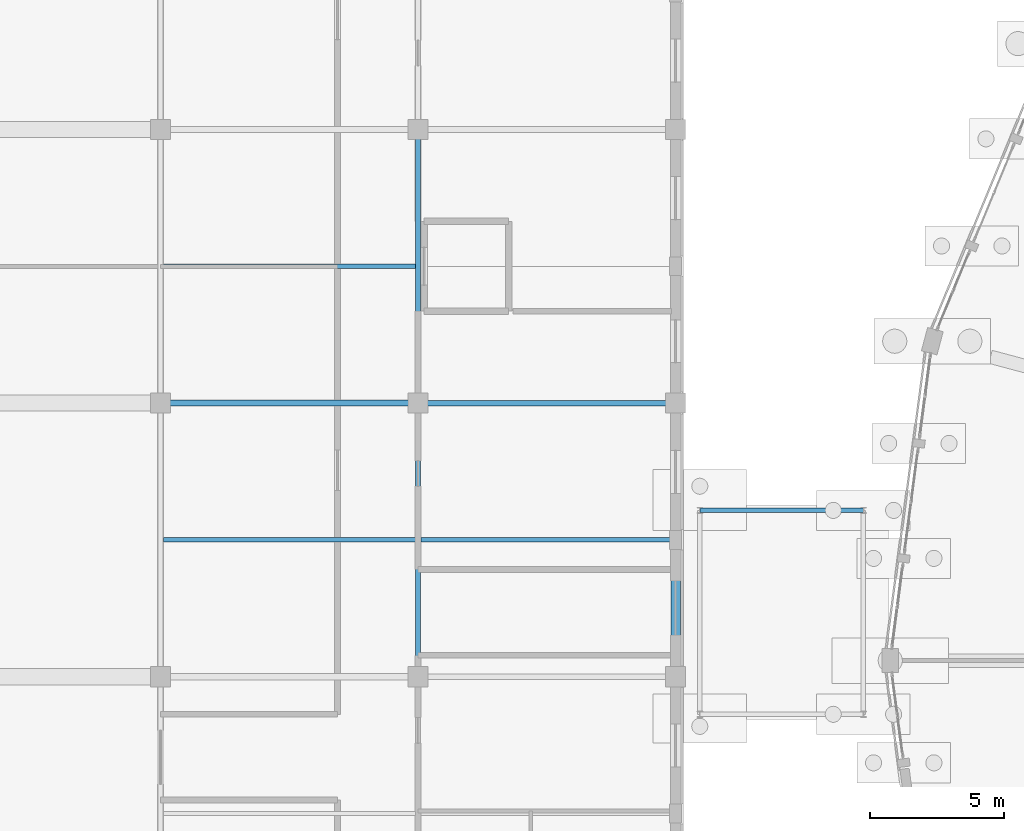
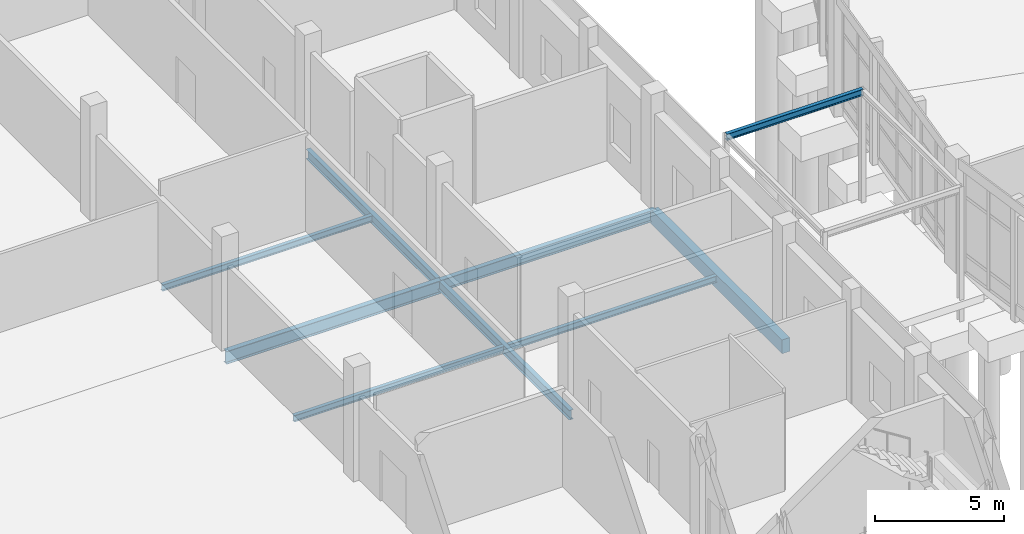
# One storey, part 47 of 137: 9 beams.
"""IFC4 building model written with IfcOpenShell, lengths in metres."""

from ifc_helpers import new_model, si_unit, direction, frame, origin, origin_2d, place, context, subcontext, project, spatial, rectangle, i_section, extrude, material, material_profile, profile_set, type_object, element, save


model = new_model("IFC4")

# Units and contexts
model_context = context("Model", 3, precision=1e-05, world=origin(), true_north=direction((0.0, 1.0)))
body_context = subcontext(model_context, "Body", "Model", "MODEL_VIEW")
ifc_project = project(units=[si_unit("LENGTHUNIT", "METRE"), si_unit("AREAUNIT", "SQUARE_METRE"), si_unit("VOLUMEUNIT", "CUBIC_METRE"), si_unit("PLANEANGLEUNIT", "RADIAN"), si_unit("MASSUNIT", "GRAM", prefix="KILO")], contexts=[model_context])

# Site, building, storey
site_placement = place(None, origin())
site = spatial("IfcSite", under=ifc_project, at=site_placement, CompositionType="ELEMENT")
building_placement = place(site_placement, origin())
building = spatial("IfcBuilding", under=site, at=building_placement, Name="Vondelvale Polytechnic", CompositionType="ELEMENT")
storey_placement = place(building_placement, origin())
storey = spatial("IfcBuildingStorey", under=building, at=storey_placement, Name="L00", CompositionType="ELEMENT", Elevation=0.0)

# Beams
ifc_material_1 = material(Name="Steel 300PLUS (fy = 300 MPa)", Category="steel")
ifc_material_profile_1 = material_profile(ifc_material_1, i_section(OverallWidth=0.166015625, OverallDepth=0.306884765625, WebThickness=0.006591796875, FlangeThickness=0.01171875, FilletRadius=0.011474609375, at=origin_2d()), Name="310UB46.2")
ifc_profile_set_1 = profile_set([ifc_material_profile_1], Name="Steel 300PLUS (fy = 300 MPa)")
beam_type_1 = type_object("IfcBeamType", Name="BM-UB310H", PredefinedType="BEAM", material=ifc_profile_set_1)
beam_1_placement = place(storey_placement, frame((48.89990234375, 77.60009765625, 5.196533203125), z_axis=(1.0, 0.0, 0.0), x_axis=(0.0, 1.0, 0.0)))
element("IfcBeam", 1, at=beam_1_placement, inside=storey, type_object=beam_type_1, Name="L00 LC B-16", PredefinedType="BEAM", context=body_context, shape_type="SweptSolid", body=[
    extrude(i_section(OverallWidth=0.166015625, OverallDepth=0.306884765625, WebThickness=0.006591796875, FlangeThickness=0.01171875, FilletRadius=0.011474609375, at=origin_2d()), origin(), (0.0, 0.0, 1.0), 6.10009765625),
])
ifc_material_profile_2 = material_profile(ifc_material_1, i_section(OverallWidth=0.18994140625, OverallDepth=0.45703125, WebThickness=0.009033203125, FlangeThickness=0.014404296875, FilletRadius=0.011474609375, at=origin_2d()), Name="460UB74.6")
ifc_profile_set_2 = profile_set([ifc_material_profile_2], Name="Steel 300PLUS (fy = 300 MPa)")
beam_type_2 = type_object("IfcBeamType", Name="BM-UB460", PredefinedType="BEAM", material=ifc_profile_set_2)
beam_2_placement = place(storey_placement, frame((38.39990234375, 71.39990234375, -0.528564453125), z_axis=(0.0, 1.0, 0.0), x_axis=(-1.0, 0.0, 0.0)))
element("IfcBeam", 2, at=beam_2_placement, inside=storey, type_object=beam_type_2, Name="L00 B B-13", PredefinedType="BEAM", context=body_context, shape_type="SweptSolid", body=[
    extrude(i_section(OverallWidth=0.18994140625, OverallDepth=0.45703125, WebThickness=0.009033203125, FlangeThickness=0.014404296875, FilletRadius=0.011474609375, at=origin_2d()), origin(), (0.0, 0.0, 1.0), 10.2001953125),
])
beam_3_placement = place(storey_placement, frame((38.39990234375, 81.60009765625, -0.528564453125), z_axis=(0.0, 1.0, 0.0), x_axis=(-1.0, 0.0, 0.0)))
element("IfcBeam", 3, at=beam_3_placement, inside=storey, type_object=beam_type_2, Name="L00 B B-13", PredefinedType="BEAM", context=body_context, shape_type="SweptSolid", body=[
    extrude(i_section(OverallWidth=0.18994140625, OverallDepth=0.45703125, WebThickness=0.009033203125, FlangeThickness=0.014404296875, FilletRadius=0.011474609375, at=origin_2d()), origin(), (0.0, 0.0, 1.0), 10.199951171875),
])
ifc_material_profile_3 = material_profile(ifc_material_1, i_section(OverallWidth=0.208984375, OverallDepth=0.532958984375, WebThickness=0.01025390625, FlangeThickness=0.015625, FilletRadius=0.013916015625, at=origin_2d()), Name="530UB92.4")
ifc_profile_set_3 = profile_set([ifc_material_profile_3], Name="Steel 300PLUS (fy = 300 MPa)")
beam_type_3 = type_object("IfcBeamType", Name="BM-UB530", PredefinedType="BEAM", material=ifc_profile_set_3)
beam_4_placement = place(storey_placement, frame((38.39990234375, 81.60009765625, -0.56640625), z_axis=(1.0, 0.0, 0.0), x_axis=(0.0, 1.0, 0.0)))
element("IfcBeam", 4, at=beam_4_placement, inside=storey, type_object=beam_type_3, Name="L00 B B-11", PredefinedType="BEAM", context=body_context, shape_type="SweptSolid", body=[
    extrude(i_section(OverallWidth=0.208984375, OverallDepth=0.532958984375, WebThickness=0.01025390625, FlangeThickness=0.015625, FilletRadius=0.013916015625, at=origin_2d()), origin(), (0.0, 0.0, 1.0), 9.60009765625),
])
ifc_material_profile_4 = material_profile(ifc_material_1, i_section(OverallWidth=0.22900390625, OverallDepth=0.612060546875, WebThickness=0.011962890625, FlangeThickness=0.01953125, FilletRadius=0.013916015625, at=origin_2d()), Name="610UB125")
ifc_profile_set_4 = profile_set([ifc_material_profile_4], Name="Steel 300PLUS (fy = 300 MPa)")
beam_type_4 = type_object("IfcBeamType", Name="BM-UB610H", PredefinedType="BEAM", material=ifc_profile_set_4)
beam_5_placement = place(storey_placement, frame((28.800048828125, 81.60009765625, -0.60595703125), z_axis=(1.0, 0.0, 0.0), x_axis=(0.0, 1.0, 0.0)))
element("IfcBeam", 5, at=beam_5_placement, inside=storey, type_object=beam_type_4, Name="L00 B B-09", PredefinedType="BEAM", context=body_context, shape_type="SweptSolid", body=[
    extrude(i_section(OverallWidth=0.22900390625, OverallDepth=0.612060546875, WebThickness=0.011962890625, FlangeThickness=0.01953125, FilletRadius=0.013916015625, at=origin_2d()), origin(), (0.0, 0.0, 1.0), 9.599853515625),
])
ifc_material_profile_5 = material_profile(ifc_material_1, i_section(OverallWidth=0.1650390625, OverallDepth=0.303955078125, WebThickness=0.006103515625, FlangeThickness=0.01025390625, FilletRadius=0.011474609375, at=origin_2d()), Name="310UB40.4")
ifc_profile_set_5 = profile_set([ifc_material_profile_5], Name="Steel 300PLUS (fy = 300 MPa)")
beam_type_5 = type_object("IfcBeamType", Name="JST-UB310", PredefinedType="JOIST", material=ifc_profile_set_5)
beam_6_placement = place(storey_placement, frame((28.89990234375, 76.5, -0.451904296875), z_axis=(1.0, 0.0, 0.0), x_axis=(0.0, 1.0, 0.0)))
element("IfcBeam", 6, at=beam_6_placement, inside=storey, type_object=beam_type_5, Name="L00 J J-05", PredefinedType="JOIST", context=body_context, shape_type="SweptSolid", body=[
    extrude(i_section(OverallWidth=0.1650390625, OverallDepth=0.303955078125, WebThickness=0.006103515625, FlangeThickness=0.01025390625, FilletRadius=0.011474609375, at=origin_2d()), origin(), (0.0, 0.0, 1.0), 9.400146484375),
])
beam_7_placement = place(storey_placement, frame((38.5, 76.5, -0.451904296875), z_axis=(1.0, 0.0, 0.0), x_axis=(0.0, 1.0, 0.0)))
element("IfcBeam", 7, at=beam_7_placement, inside=storey, type_object=beam_type_5, Name="L00 J J-05", PredefinedType="JOIST", context=body_context, shape_type="SweptSolid", body=[
    extrude(i_section(OverallWidth=0.1650390625, OverallDepth=0.303955078125, WebThickness=0.006103515625, FlangeThickness=0.01025390625, FilletRadius=0.011474609375, at=origin_2d()), origin(), (0.0, 0.0, 1.0), 9.320068359375),
])
beam_8_placement = place(storey_placement, frame((28.89990234375, 86.699951171875, -0.451904296875), z_axis=(1.0, 0.0, 0.0), x_axis=(0.0, 1.0, 0.0)))
element("IfcBeam", 8, at=beam_8_placement, inside=storey, type_object=beam_type_5, Name="L00 J J-05", PredefinedType="JOIST", context=body_context, shape_type="SweptSolid", body=[
    extrude(i_section(OverallWidth=0.1650390625, OverallDepth=0.303955078125, WebThickness=0.006103515625, FlangeThickness=0.01025390625, FilletRadius=0.011474609375, at=origin_2d()), origin(), (0.0, 0.0, 1.0), 9.400146484375),
])
ifc_material_2 = material(Name="Precast concrete N40 (f'c = 40 MPa)", Category="concrete")
ifc_material_profile_6 = material_profile(ifc_material_2, rectangle(XDim=0.35009765625, YDim=0.64990234375, at=origin_2d()), Name="RC-SPN-350x650")
ifc_profile_set_6 = profile_set([ifc_material_profile_6], Name="Precast concrete N40 (f'c = 40 MPa)")
beam_type_6 = type_object("IfcBeamType", Name="SPN-PRE350x650", PredefinedType="SPANDREL", material=ifc_profile_set_6)
beam_9_placement = place(storey_placement, frame((48.0, 71.39990234375, -0.625), z_axis=(0.0, 1.0, 0.0), x_axis=(-1.0, 0.0, 0.0)))
element("IfcBeam", 9, at=beam_9_placement, inside=storey, type_object=beam_type_6, Name="L00 B SP-02", PredefinedType="SPANDREL", context=body_context, shape_type="SweptSolid", body=[
    extrude(rectangle(XDim=0.35009765625, YDim=0.64990234375, at=origin_2d()), origin(), (0.0, 0.0, 1.0), 10.2001953125),
])

save(model, "model.ifc")
